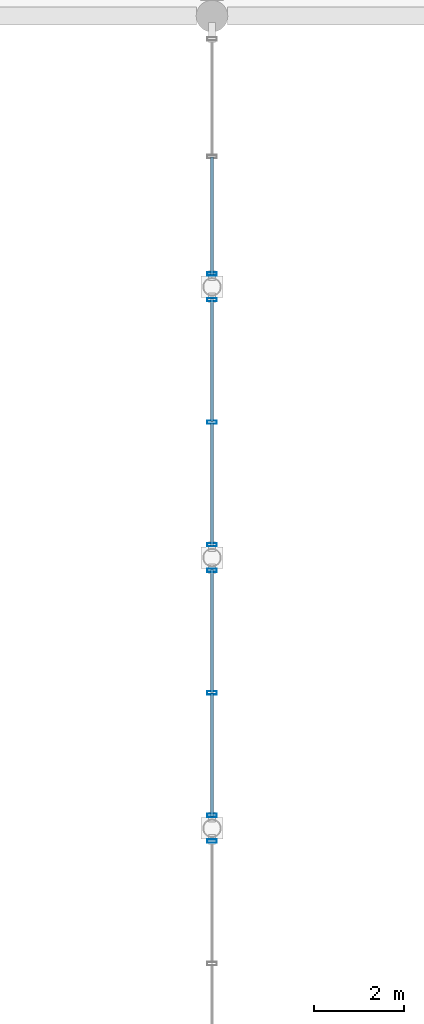
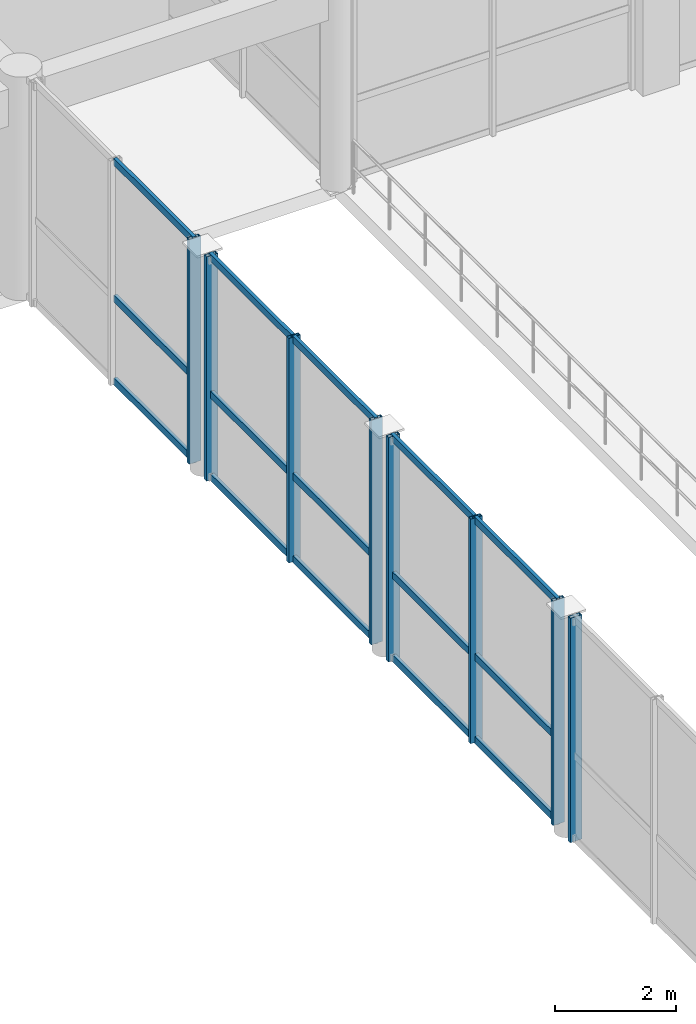
# One storey, part 28 of 116: 23 members, 4 elements without a shape of their own.
"""IFC4 building model written with IfcOpenShell, lengths in metres."""

from ifc_helpers import new_model, si_unit, direction, frame, origin, origin_2d, place, context, subcontext, project, spatial, hollow_rectangle, extrude, material, material_profile, profile_set, type_object, element, aggregate, save


model = new_model("IFC4")

# Units and contexts
model_context = context("Model", 3, precision=1e-05, world=origin(), true_north=direction((0.0, 1.0)))
body_context = subcontext(model_context, "Body", "Model", "MODEL_VIEW")
ifc_project = project(units=[si_unit("LENGTHUNIT", "METRE"), si_unit("AREAUNIT", "SQUARE_METRE"), si_unit("VOLUMEUNIT", "CUBIC_METRE"), si_unit("PLANEANGLEUNIT", "RADIAN"), si_unit("MASSUNIT", "GRAM", prefix="KILO"), si_unit("THERMODYNAMICTEMPERATUREUNIT", "KELVIN"), si_unit("POWERUNIT", "WATT")], contexts=[model_context])

# Site, building, storey
site_placement = place(None, origin())
site = spatial("IfcSite", under=ifc_project, at=site_placement, CompositionType="ELEMENT")
building_placement = place(site_placement, origin())
building = spatial("IfcBuilding", under=site, at=building_placement, Name="Phaisarnlok Congress Hotel", CompositionType="ELEMENT")
storey_placement = place(building_placement, frame((0.0, 0.0, 10.5)))
storey = spatial("IfcBuildingStorey", under=building, at=storey_placement, Name="L02", CompositionType="ELEMENT", Elevation=10.5)

# Curtain wall, member
ifc_material_1 = material(Name="Thermally Broken Unitised Aluminium & Low-E Glazing", Category="aluminium")
curtain_wall_type_1 = type_object("IfcCurtainWallType", Name="CW-UNIT-44", PredefinedType="NOTDEFINED", material=ifc_material_1)
curtain_wall_1_placement = place(storey_placement, origin())
curtain_wall_1 = element("IfcCurtainWall", 1, at=curtain_wall_1_placement, inside=storey, type_object=curtain_wall_type_1, Name="Unitised curtain wall CW-44 (L02)", PredefinedType="NOTDEFINED")
ifc_material_2 = material(Name="Anodised Aluminium Alloy 6063-T6", Category="aluminium")
ifc_material_profile_1 = material_profile(ifc_material_2, hollow_rectangle(XDim=0.074951171875, YDim=0.219970703125, WallThickness=0.0048828125, at=origin_2d()), Name="ALU-M 75x220x5")
ifc_profile_set_1 = profile_set([ifc_material_profile_1], Name="Anodised Aluminium Alloy 6063-T6")
member_type_1 = type_object("IfcMemberType", Name="CWM-220", PredefinedType="MULLION", material=ifc_profile_set_1)
member_1_placement = place(storey_placement, frame((120.0, 65.715087890625, -0.010009765625), z_axis=(0.0, 0.0, 1.0), x_axis=(0.0, -1.0, 0.0)))
member_1 = element("IfcMember", 2, at=member_1_placement, type_object=member_type_1, Name="Curtain wall mullion CWM-02", PredefinedType="MULLION", context=body_context, shape_type="SweptSolid", body=[
    extrude(hollow_rectangle(XDim=0.074951171875, YDim=0.219970703125, WallThickness=0.0048828125, at=origin_2d()), origin(), (0.0, 0.0, 1.0), 4.52001953125),
])
aggregate(curtain_wall_1, [member_1])

# Curtain wall, members
curtain_wall_2_placement = place(storey_placement, origin())
curtain_wall_2 = element("IfcCurtainWall", 3, at=curtain_wall_2_placement, inside=storey, type_object=curtain_wall_type_1, Name="Unitised curtain wall CW-44 (L02)", PredefinedType="NOTDEFINED")
member_2_placement = place(storey_placement, frame((120.0, 71.715087890625, -0.010009765625), z_axis=(0.0, 0.0, 1.0), x_axis=(0.0, -1.0, 0.0)))
member_2 = element("IfcMember", 4, at=member_2_placement, type_object=member_type_1, Name="Curtain wall mullion CWM-02", PredefinedType="MULLION", context=body_context, shape_type="SweptSolid", body=[
    extrude(hollow_rectangle(XDim=0.074951171875, YDim=0.219970703125, WallThickness=0.0048828125, at=origin_2d()), origin(), (0.0, 0.0, 1.0), 4.52001953125),
])
member_3_placement = place(storey_placement, frame((120.0, 69.0, -0.010009765625), z_axis=(0.0, 0.0, 1.0), x_axis=(0.0, -1.0, 0.0)))
member_3 = element("IfcMember", 5, at=member_3_placement, type_object=member_type_1, Name="Curtain wall mullion CWM-02", PredefinedType="MULLION", context=body_context, shape_type="SweptSolid", body=[
    extrude(hollow_rectangle(XDim=0.074951171875, YDim=0.219970703125, WallThickness=0.0048828125, at=origin_2d()), origin(), (0.0, 0.0, 1.0), 4.52001953125),
])
member_4_placement = place(storey_placement, frame((120.0, 66.284912109375, -0.010009765625), z_axis=(0.0, 0.0, 1.0), x_axis=(0.0, -1.0, 0.0)))
member_4 = element("IfcMember", 6, at=member_4_placement, type_object=member_type_1, Name="Curtain wall mullion CWM-02", PredefinedType="MULLION", context=body_context, shape_type="SweptSolid", body=[
    extrude(hollow_rectangle(XDim=0.074951171875, YDim=0.219970703125, WallThickness=0.0048828125, at=origin_2d()), origin(), (0.0, 0.0, 1.0), 4.52001953125),
])

curtain_wall_3_placement = place(storey_placement, origin())
curtain_wall_3 = element("IfcCurtainWall", 7, at=curtain_wall_3_placement, inside=storey, type_object=curtain_wall_type_1, Name="Unitised curtain wall CW-44 (L02)", PredefinedType="NOTDEFINED")
member_5_placement = place(storey_placement, frame((120.0, 77.715087890625, -0.010009765625), z_axis=(0.0, 0.0, 1.0), x_axis=(0.0, -1.0, 0.0)))
member_5 = element("IfcMember", 8, at=member_5_placement, type_object=member_type_1, Name="Curtain wall mullion CWM-02", PredefinedType="MULLION", context=body_context, shape_type="SweptSolid", body=[
    extrude(hollow_rectangle(XDim=0.074951171875, YDim=0.219970703125, WallThickness=0.0048828125, at=origin_2d()), origin(), (0.0, 0.0, 1.0), 4.52001953125),
])
member_6_placement = place(storey_placement, frame((120.0, 75.0, -0.010009765625), z_axis=(0.0, 0.0, 1.0), x_axis=(0.0, -1.0, 0.0)))
member_6 = element("IfcMember", 9, at=member_6_placement, type_object=member_type_1, Name="Curtain wall mullion CWM-02", PredefinedType="MULLION", context=body_context, shape_type="SweptSolid", body=[
    extrude(hollow_rectangle(XDim=0.074951171875, YDim=0.219970703125, WallThickness=0.0048828125, at=origin_2d()), origin(), (0.0, 0.0, 1.0), 4.52001953125),
])
member_7_placement = place(storey_placement, frame((120.0, 72.284912109375, -0.010009765625), z_axis=(0.0, 0.0, 1.0), x_axis=(0.0, -1.0, 0.0)))
member_7 = element("IfcMember", 10, at=member_7_placement, type_object=member_type_1, Name="Curtain wall mullion CWM-02", PredefinedType="MULLION", context=body_context, shape_type="SweptSolid", body=[
    extrude(hollow_rectangle(XDim=0.074951171875, YDim=0.219970703125, WallThickness=0.0048828125, at=origin_2d()), origin(), (0.0, 0.0, 1.0), 4.52001953125),
])

# Curtain wall, member
curtain_wall_type_2 = type_object("IfcCurtainWallType", Name="CW-UNIT-41", PredefinedType="NOTDEFINED", material=ifc_material_1)
curtain_wall_4_placement = place(storey_placement, origin())
curtain_wall_4 = element("IfcCurtainWall", 11, at=curtain_wall_4_placement, inside=storey, type_object=curtain_wall_type_2, Name="Unitised curtain wall CW-41 (L02)", PredefinedType="NOTDEFINED")
member_8_placement = place(storey_placement, frame((120.0, 78.284912109375, -0.010009765625), z_axis=(0.0, 0.0, 1.0), x_axis=(0.0, -1.0, 0.0)))
member_8 = element("IfcMember", 12, at=member_8_placement, type_object=member_type_1, Name="Curtain wall mullion CWM-02", PredefinedType="MULLION", context=body_context, shape_type="SweptSolid", body=[
    extrude(hollow_rectangle(XDim=0.074951171875, YDim=0.219970703125, WallThickness=0.0048828125, at=origin_2d()), origin(), (0.0, 0.0, 1.0), 4.52001953125),
])

# Member
ifc_material_profile_2 = material_profile(ifc_material_2, hollow_rectangle(XDim=0.06494140625, YDim=0.139892578125, WallThickness=0.00390625, at=origin_2d()), Name="ALU-T 65x140x4")
ifc_profile_set_2 = profile_set([ifc_material_profile_2], Name="Anodised Aluminium Alloy 6063-T6")
member_type_2 = type_object("IfcMemberType", Name="CWT-150", PredefinedType="USERDEFINED", material=ifc_profile_set_2)
member_9_placement = place(storey_placement, frame((120.0, 71.739990234375, 0.0400390625), z_axis=(0.0, -1.0, 0.0), x_axis=(1.0, 0.0, 0.0)))
member_9 = element("IfcMember", 13, at=member_9_placement, type_object=member_type_2, Name="Curtain wall transom CWT-01", ObjectType="TRANSOM", PredefinedType="USERDEFINED", context=body_context, shape_type="SweptSolid", body=[
    extrude(hollow_rectangle(XDim=0.06494140625, YDim=0.139892578125, WallThickness=0.00390625, at=origin_2d()), origin(), (0.0, 0.0, 1.0), 2.72509765625),
])

member_10_placement = place(storey_placement, frame((120.0, 71.739990234375, 1.70751953125), z_axis=(0.0, -1.0, 0.0), x_axis=(1.0, 0.0, 0.0)))
member_10 = element("IfcMember", 14, at=member_10_placement, type_object=member_type_2, Name="Curtain wall transom CWT-01", ObjectType="TRANSOM", PredefinedType="USERDEFINED", context=body_context, shape_type="SweptSolid", body=[
    extrude(hollow_rectangle(XDim=0.06494140625, YDim=0.139892578125, WallThickness=0.00390625, at=origin_2d()), origin(), (0.0, 0.0, 1.0), 2.72509765625),
])

member_11_placement = place(storey_placement, frame((120.0, 71.739990234375, 4.4599609375), z_axis=(0.0, -1.0, 0.0), x_axis=(1.0, 0.0, 0.0)))
member_11 = element("IfcMember", 15, at=member_11_placement, type_object=member_type_2, Name="Curtain wall transom CWT-01", ObjectType="TRANSOM", PredefinedType="USERDEFINED", context=body_context, shape_type="SweptSolid", body=[
    extrude(hollow_rectangle(XDim=0.06494140625, YDim=0.139892578125, WallThickness=0.00390625, at=origin_2d()), origin(), (0.0, 0.0, 1.0), 2.72509765625),
])

member_12_placement = place(storey_placement, frame((120.0, 68.985107421875, 0.0400390625), z_axis=(0.0, -1.0, 0.0), x_axis=(1.0, 0.0, 0.0)))
member_12 = element("IfcMember", 16, at=member_12_placement, type_object=member_type_2, Name="Curtain wall transom CWT-01", ObjectType="TRANSOM", PredefinedType="USERDEFINED", context=body_context, shape_type="SweptSolid", body=[
    extrude(hollow_rectangle(XDim=0.06494140625, YDim=0.139892578125, WallThickness=0.00390625, at=origin_2d()), origin(), (0.0, 0.0, 1.0), 2.72509765625),
])

member_13_placement = place(storey_placement, frame((120.0, 68.985107421875, 1.70751953125), z_axis=(0.0, -1.0, 0.0), x_axis=(1.0, 0.0, 0.0)))
member_13 = element("IfcMember", 17, at=member_13_placement, type_object=member_type_2, Name="Curtain wall transom CWT-01", ObjectType="TRANSOM", PredefinedType="USERDEFINED", context=body_context, shape_type="SweptSolid", body=[
    extrude(hollow_rectangle(XDim=0.06494140625, YDim=0.139892578125, WallThickness=0.00390625, at=origin_2d()), origin(), (0.0, 0.0, 1.0), 2.72509765625),
])

member_14_placement = place(storey_placement, frame((120.0, 68.985107421875, 4.4599609375), z_axis=(0.0, -1.0, 0.0), x_axis=(1.0, 0.0, 0.0)))
member_14 = element("IfcMember", 18, at=member_14_placement, type_object=member_type_2, Name="Curtain wall transom CWT-01", ObjectType="TRANSOM", PredefinedType="USERDEFINED", context=body_context, shape_type="SweptSolid", body=[
    extrude(hollow_rectangle(XDim=0.06494140625, YDim=0.139892578125, WallThickness=0.00390625, at=origin_2d()), origin(), (0.0, 0.0, 1.0), 2.72509765625),
])

aggregate(curtain_wall_2, [member_2, member_3, member_4, member_9, member_10, member_11, member_12, member_13, member_14])

member_15_placement = place(storey_placement, frame((120.0, 77.739990234375, 0.0400390625), z_axis=(0.0, -1.0, 0.0), x_axis=(1.0, 0.0, 0.0)))
member_15 = element("IfcMember", 19, at=member_15_placement, type_object=member_type_2, Name="Curtain wall transom CWT-01", ObjectType="TRANSOM", PredefinedType="USERDEFINED", context=body_context, shape_type="SweptSolid", body=[
    extrude(hollow_rectangle(XDim=0.06494140625, YDim=0.139892578125, WallThickness=0.00390625, at=origin_2d()), origin(), (0.0, 0.0, 1.0), 2.72509765625),
])

member_16_placement = place(storey_placement, frame((120.0, 77.739990234375, 1.70751953125), z_axis=(0.0, -1.0, 0.0), x_axis=(1.0, 0.0, 0.0)))
member_16 = element("IfcMember", 20, at=member_16_placement, type_object=member_type_2, Name="Curtain wall transom CWT-01", ObjectType="TRANSOM", PredefinedType="USERDEFINED", context=body_context, shape_type="SweptSolid", body=[
    extrude(hollow_rectangle(XDim=0.06494140625, YDim=0.139892578125, WallThickness=0.00390625, at=origin_2d()), origin(), (0.0, 0.0, 1.0), 2.72509765625),
])

member_17_placement = place(storey_placement, frame((120.0, 77.739990234375, 4.4599609375), z_axis=(0.0, -1.0, 0.0), x_axis=(1.0, 0.0, 0.0)))
member_17 = element("IfcMember", 21, at=member_17_placement, type_object=member_type_2, Name="Curtain wall transom CWT-01", ObjectType="TRANSOM", PredefinedType="USERDEFINED", context=body_context, shape_type="SweptSolid", body=[
    extrude(hollow_rectangle(XDim=0.06494140625, YDim=0.139892578125, WallThickness=0.00390625, at=origin_2d()), origin(), (0.0, 0.0, 1.0), 2.72509765625),
])

member_18_placement = place(storey_placement, frame((120.0, 74.985107421875, 0.0400390625), z_axis=(0.0, -1.0, 0.0), x_axis=(1.0, 0.0, 0.0)))
member_18 = element("IfcMember", 22, at=member_18_placement, type_object=member_type_2, Name="Curtain wall transom CWT-01", ObjectType="TRANSOM", PredefinedType="USERDEFINED", context=body_context, shape_type="SweptSolid", body=[
    extrude(hollow_rectangle(XDim=0.06494140625, YDim=0.139892578125, WallThickness=0.00390625, at=origin_2d()), origin(), (0.0, 0.0, 1.0), 2.72509765625),
])

member_19_placement = place(storey_placement, frame((120.0, 74.985107421875, 1.70751953125), z_axis=(0.0, -1.0, 0.0), x_axis=(1.0, 0.0, 0.0)))
member_19 = element("IfcMember", 23, at=member_19_placement, type_object=member_type_2, Name="Curtain wall transom CWT-01", ObjectType="TRANSOM", PredefinedType="USERDEFINED", context=body_context, shape_type="SweptSolid", body=[
    extrude(hollow_rectangle(XDim=0.06494140625, YDim=0.139892578125, WallThickness=0.00390625, at=origin_2d()), origin(), (0.0, 0.0, 1.0), 2.72509765625),
])

member_20_placement = place(storey_placement, frame((120.0, 74.985107421875, 4.4599609375), z_axis=(0.0, -1.0, 0.0), x_axis=(1.0, 0.0, 0.0)))
member_20 = element("IfcMember", 24, at=member_20_placement, type_object=member_type_2, Name="Curtain wall transom CWT-01", ObjectType="TRANSOM", PredefinedType="USERDEFINED", context=body_context, shape_type="SweptSolid", body=[
    extrude(hollow_rectangle(XDim=0.06494140625, YDim=0.139892578125, WallThickness=0.00390625, at=origin_2d()), origin(), (0.0, 0.0, 1.0), 2.72509765625),
])

aggregate(curtain_wall_3, [member_5, member_6, member_7, member_15, member_16, member_17, member_18, member_19, member_20])

member_21_placement = place(storey_placement, frame((120.0, 80.875, 0.0400390625), z_axis=(0.0, -1.0, 0.0), x_axis=(1.0, 0.0, 0.0)))
member_21 = element("IfcMember", 25, at=member_21_placement, type_object=member_type_2, Name="Curtain wall transom CWT-01", ObjectType="TRANSOM", PredefinedType="USERDEFINED", context=body_context, shape_type="SweptSolid", body=[
    extrude(hollow_rectangle(XDim=0.06494140625, YDim=0.139892578125, WallThickness=0.00390625, at=origin_2d()), origin(), (0.0, 0.0, 1.0), 2.614990234375),
])

member_22_placement = place(storey_placement, frame((120.0, 80.875, 1.70751953125), z_axis=(0.0, -1.0, 0.0), x_axis=(1.0, 0.0, 0.0)))
member_22 = element("IfcMember", 26, at=member_22_placement, type_object=member_type_2, Name="Curtain wall transom CWT-01", ObjectType="TRANSOM", PredefinedType="USERDEFINED", context=body_context, shape_type="SweptSolid", body=[
    extrude(hollow_rectangle(XDim=0.06494140625, YDim=0.139892578125, WallThickness=0.00390625, at=origin_2d()), origin(), (0.0, 0.0, 1.0), 2.614990234375),
])

member_23_placement = place(storey_placement, frame((120.0, 80.875, 4.4599609375), z_axis=(0.0, -1.0, 0.0), x_axis=(1.0, 0.0, 0.0)))
member_23 = element("IfcMember", 27, at=member_23_placement, type_object=member_type_2, Name="Curtain wall transom CWT-01", ObjectType="TRANSOM", PredefinedType="USERDEFINED", context=body_context, shape_type="SweptSolid", body=[
    extrude(hollow_rectangle(XDim=0.06494140625, YDim=0.139892578125, WallThickness=0.00390625, at=origin_2d()), origin(), (0.0, 0.0, 1.0), 2.614990234375),
])

aggregate(curtain_wall_4, [member_8, member_21, member_22, member_23])

save(model, "model.ifc")
